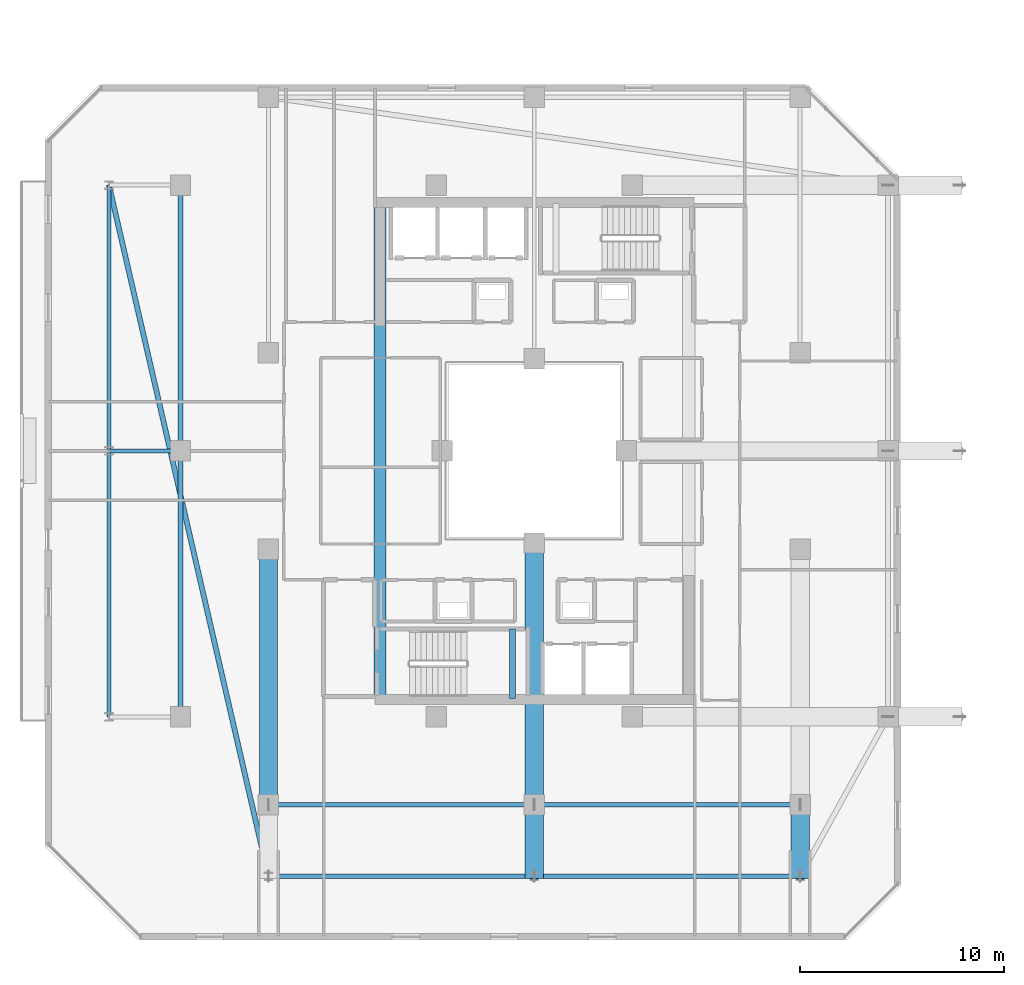
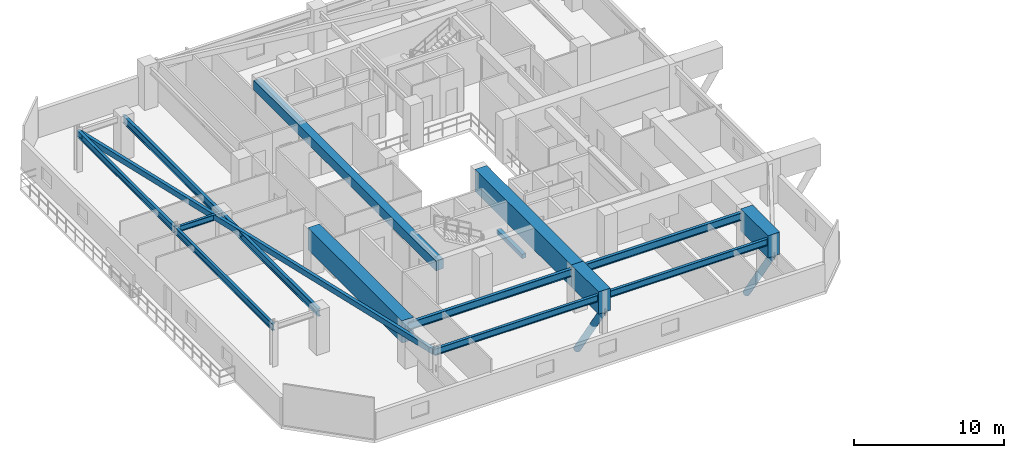
# One storey, part 4 of 34: 16 beams, 2 members.
"""IFC4 building model written with IfcOpenShell, lengths in metres."""

import ifcopenshell
import ifcopenshell.guid

model = None  # the IFC model being written
_history = None  # IfcOwnerHistory: only IFC2X3 demands one
_inside = {}  # id of a spatial element -> (the spatial element, [elements in it])
_under = {}  # id of a project, library or spatial element -> (it, [spatial elements below it])
_declared = {}  # id of a project -> (the project, [libraries it declares])
_typed = {}  # id of a type object -> (the type object, [elements of that type])
_made_of = {}  # id of a material, layer set ... -> (it, [elements and type objects made of it])


def new_model(schema):
    """Start an empty IFC model of exactly this schema.

    Asked for "IFC4X3", IfcOpenShell would pick the latest addendum, in which some entities
    have other attributes; the version numbers below select the first issue.
    IFC2X3 requires an IfcOwnerHistory on every rooted entity: one is made here for all.
    """
    global model, _history
    if schema == "IFC4X3":
        model = ifcopenshell.file(schema_version=(4, 3, 0, 0))
    else:
        model = ifcopenshell.file(schema=schema)
    _inside.clear()
    _under.clear()
    _declared.clear()
    _typed.clear()
    _made_of.clear()
    _history = None
    if model.schema == "IFC2X3":
        org = make("IfcOrganization", Name="unknown")
        user = make(
            "IfcPersonAndOrganization",
            ThePerson=make("IfcPerson", FamilyName="unknown"),
            TheOrganization=org,
        )
        app = make(
            "IfcApplication",
            ApplicationDeveloper=org,
            Version="unknown",
            ApplicationFullName="unknown",
            ApplicationIdentifier="unknown",
        )
        _history = make(
            "IfcOwnerHistory",
            OwningUser=user,
            OwningApplication=app,
            ChangeAction="ADDED",
            CreationDate=0,
        )
    return model


def make(cls, **values):
    """One entity of the class cls with the attributes given. An attribute that is None is left unset."""
    return model.create_entity(
        cls, **{name: value for name, value in values.items() if value is not None}
    )


def rooted(cls, **values):
    """An entity with a GlobalId (a new one), such as an element, a storey or a relation."""
    return make(cls, GlobalId=ifcopenshell.guid.new(), OwnerHistory=_history, **values)


def si_unit(unit_type, name, prefix=None):
    """IfcSIUnit, for example si_unit("LENGTHUNIT", "METRE", prefix="MILLI")."""
    return make("IfcSIUnit", UnitType=unit_type, Prefix=prefix, Name=name)


def assignment(units):
    """IfcUnitAssignment: the units of a project."""
    return None if units is None else make("IfcUnitAssignment", Units=units)


def point(xyz):
    """IfcCartesianPoint."""
    return None if xyz is None else make("IfcCartesianPoint", Coordinates=xyz)


def direction(xyz):
    """IfcDirection."""
    return None if xyz is None else make("IfcDirection", DirectionRatios=xyz)


def frame(location, z_axis=None, x_axis=None):
    """IfcAxis2Placement3D, a coordinate frame: its origin and axes. An axis left out is left unset."""
    return make(
        "IfcAxis2Placement3D",
        Location=point(location),
        Axis=direction(z_axis),
        RefDirection=direction(x_axis),
    )


def frame_2d(location, x_axis=None):
    """IfcAxis2Placement2D, a coordinate frame in the plane: its origin and x axis."""
    return make(
        "IfcAxis2Placement2D", Location=point(location), RefDirection=direction(x_axis)
    )


def origin():
    """The frame at (0, 0, 0) with its axes left unset."""
    return frame((0.0, 0.0, 0.0))


def origin_2d():
    """The frame at (0, 0) in the plane with its x axis left unset."""
    return frame_2d((0.0, 0.0))


def place(relative_to, where):
    """IfcLocalPlacement: puts the frame where relative to a parent placement (None: the world)."""
    return make(
        "IfcLocalPlacement", PlacementRelTo=relative_to, RelativePlacement=where
    )


def context(
    kind, dimensions, precision=None, world=None, true_north=None, identifier=None
):
    """IfcGeometricRepresentationContext, for example the 3D "Model" context."""
    return make(
        "IfcGeometricRepresentationContext",
        ContextIdentifier=identifier,
        ContextType=kind,
        CoordinateSpaceDimension=dimensions,
        Precision=precision,
        WorldCoordinateSystem=world,
        TrueNorth=true_north,
    )


def subcontext(parent, identifier, kind, view, scale=None):
    """IfcGeometricRepresentationSubContext, for example "Body" below "Model"."""
    return make(
        "IfcGeometricRepresentationSubContext",
        ContextIdentifier=identifier,
        ContextType=kind,
        ParentContext=parent,
        TargetScale=scale,
        TargetView=view,
    )


def project(units=None, contexts=None):
    """IfcProject with its units and contexts."""
    return rooted(
        "IfcProject",
        Name="project",
        RepresentationContexts=contexts,
        UnitsInContext=assignment(units),
    )


def spatial(cls, under=None, at=None, **own):
    """A site, building, storey or space (cls), placed at a placement, below another one or the project."""
    s = rooted(cls, ObjectPlacement=at, **own)
    if under is not None:
        _under.setdefault(under.id(), (under, []))[1].append(s)
    return s


def profile(cls, at=None, kind="AREA", **sizes):
    """A parametric profile (cls). Its sizes go by their IFC names, for example OverallWidth=200.0."""
    return make(cls, ProfileType=kind, Position=at, **sizes)


def rectangle(**sizes):
    """IfcRectangleProfileDef."""
    return profile("IfcRectangleProfileDef", **sizes)


def hollow_rectangle(**sizes):
    """IfcRectangleHollowProfileDef."""
    return profile("IfcRectangleHollowProfileDef", **sizes)


def hollow_circle(**sizes):
    """IfcCircleHollowProfileDef."""
    return profile("IfcCircleHollowProfileDef", **sizes)


def i_section(**sizes):
    """IfcIShapeProfileDef."""
    return profile("IfcIShapeProfileDef", **sizes)


def extrude(swept, where, along, depth):
    """IfcExtrudedAreaSolid: the profile swept, set in the frame where, extruded along a direction by depth."""
    return make(
        "IfcExtrudedAreaSolid",
        SweptArea=swept,
        Position=where,
        ExtrudedDirection=direction(along),
        Depth=depth,
    )


def shape(context_of_items, identifier, shape_type, items):
    """IfcShapeRepresentation: the items that make up one representation, for example the "Body"."""
    return make(
        "IfcShapeRepresentation",
        ContextOfItems=context_of_items,
        RepresentationIdentifier=identifier,
        RepresentationType=shape_type,
        Items=items,
    )


def material(Name=None, Category=None):
    """IfcMaterial."""
    return make("IfcMaterial", Name=Name, Category=Category)


def material_profile(
    of_material, cross_section, Name=None, Category=None, Priority=None
):
    """IfcMaterialProfile: a cross section and its material."""
    return make(
        "IfcMaterialProfile",
        Name=Name,
        Material=of_material,
        Profile=cross_section,
        Priority=Priority,
        Category=Category,
    )


def profile_set(profiles, Name=None, composite=None):
    """IfcMaterialProfileSet."""
    return make(
        "IfcMaterialProfileSet",
        Name=Name,
        MaterialProfiles=profiles,
        CompositeProfile=composite,
    )


def made_of(thing, what):
    """Note that an element or type object is made of a material, layer set ...; save() writes the relation."""
    if what is not None:
        _made_of.setdefault(what.id(), (what, []))[1].append(thing)
    return thing


def type_object(cls, material=None, **own):
    """A type object (cls), such as IfcWallType, which elements share."""
    return made_of(rooted(cls, **own), material)


def element(
    cls,
    number,
    at=None,
    inside=None,
    cuts=None,
    type_object=None,
    material=None,
    context=None,
    identifier="Body",
    shape_type=None,
    held_by="IfcProductDefinitionShape",
    body=None,
    shapes=None,
    **own,
):
    """One element of the class cls, such as IfcWall. Its Tag is "e" and its number.

    at: its placement. inside: the storey or other place that contains it. cuts: it is an
    opening in that element (IfcRelVoidsElement). A single representation is given by context,
    identifier, shape_type and body (its items); several are given by shapes. held_by: the class
    of the entity that holds the representations. save() writes the other relations.
    """
    e = rooted(cls, Tag="e%d" % number, ObjectPlacement=at, **own)
    if body is not None:
        shapes = [shape(context, identifier, shape_type, body)]
    if shapes is not None:
        e.Representation = make(held_by, Representations=shapes)
    if inside is not None:
        _inside.setdefault(inside.id(), (inside, []))[1].append(e)
    if cuts is not None:
        rooted(
            "IfcRelVoidsElement", RelatingBuildingElement=cuts, RelatedOpeningElement=e
        )
    if type_object is not None:
        _typed.setdefault(type_object.id(), (type_object, []))[1].append(e)
    return made_of(e, material)


def aggregate(whole, parts):
    """IfcRelAggregates: a whole, such as a stair, and the parts it consists of."""
    return rooted("IfcRelAggregates", RelatingObject=whole, RelatedObjects=parts)


def save(model, path):
    """Write the relations noted so far, then the file.

    IfcRelAggregates (storeys below a building ...), IfcRelContainedInSpatialStructure (elements
    in a storey), IfcRelDefinesByType, IfcRelAssociatesMaterial and IfcRelDeclares: one each for
    every whole, place, type object, material and project.
    """
    for whole, parts in _under.values():
        aggregate(whole, parts)
    for where, things in _inside.values():
        rooted(
            "IfcRelContainedInSpatialStructure",
            RelatedElements=things,
            RelatingStructure=where,
        )
    for kind, things in _typed.values():
        rooted("IfcRelDefinesByType", RelatedObjects=things, RelatingType=kind)
    for what, things in _made_of.values():
        rooted("IfcRelAssociatesMaterial", RelatedObjects=things, RelatingMaterial=what)
    for by, libraries in _declared.values():
        rooted("IfcRelDeclares", RelatingContext=by, RelatedDefinitions=libraries)
    model.write(path)


model = new_model("IFC4")

# Units and contexts
model_context = context("Model", 3, precision=1e-05, world=origin(), true_north=direction((0.0, 1.0)))
body_context = subcontext(model_context, "Body", "Model", "MODEL_VIEW")
ifc_project = project(units=[si_unit("LENGTHUNIT", "METRE"), si_unit("AREAUNIT", "SQUARE_METRE"), si_unit("VOLUMEUNIT", "CUBIC_METRE"), si_unit("PLANEANGLEUNIT", "RADIAN"), si_unit("MASSUNIT", "GRAM", prefix="KILO")], contexts=[model_context])

# Site, building, storey
site_placement = place(None, origin())
site = spatial("IfcSite", under=ifc_project, at=site_placement, CompositionType="ELEMENT")
building_placement = place(site_placement, origin())
building = spatial("IfcBuilding", under=site, at=building_placement, Name="Thornwick Lancets Civic Towers", CompositionType="ELEMENT")
storey_placement = place(building_placement, frame((0.0, 0.0, 251.10009765625)))
storey = spatial("IfcBuildingStorey", under=building, at=storey_placement, Name="L67", CompositionType="ELEMENT", Elevation=251.10009765625)

# Beams
ifc_material_1 = material(Name="Concrete C60/75", Category="concrete")
ifc_material_profile_1 = material_profile(ifc_material_1, rectangle(XDim=0.60009765625, YDim=0.800048828125, at=origin_2d()), Name="RC 600x800")
ifc_profile_set_1 = profile_set([ifc_material_profile_1], Name="Concrete C60/75")
beam_type_1 = type_object("IfcBeamType", Name="BM_COUP_RC800", PredefinedType="BEAM", material=ifc_profile_set_1)
beam_1_placement = place(storey_placement, frame((17.949951171875, 14.89990234375, 2.93994140625), z_axis=(0.0, 1.0, 0.0), x_axis=(-1.0, 0.0, 0.0)))
element("IfcBeam", 1, at=beam_1_placement, inside=storey, type_object=beam_type_1, Name="CB-L67-A2", PredefinedType="BEAM", context=body_context, shape_type="SweptSolid", body=[
    extrude(rectangle(XDim=0.60009765625, YDim=0.800048828125, at=origin_2d()), origin(), (0.0, 0.0, 1.0), 24.2001953125),
])
ifc_material_2 = material(Name="Steel S355JR", Category="steel")
ifc_material_profile_2 = material_profile(ifc_material_2, i_section(OverallWidth=0.210693359375, OverallDepth=0.53955078125, WebThickness=0.01171875, FlangeThickness=0.018798828125, FilletRadius=0.0126953125, at=origin_2d()), Name="UKB 533x210x109")
ifc_profile_set_2 = profile_set([ifc_material_profile_2], Name="Steel S355JR")
beam_type_2 = type_object("IfcBeamType", Name="BM_EDGE_533_109", PredefinedType="SPANDREL", material=ifc_profile_set_2)
beam_2_placement = place(storey_placement, frame((12.5, 6.199951171875, 3.0703125), z_axis=(1.0, 0.0, 0.0), x_axis=(0.0, 1.0, 0.0)))
element("IfcBeam", 2, at=beam_2_placement, inside=storey, type_object=beam_type_2, Name="BM-EDGE-L67-A-S0-1", PredefinedType="SPANDREL", context=body_context, shape_type="SweptSolid", body=[
    extrude(i_section(OverallWidth=0.210693359375, OverallDepth=0.53955078125, WebThickness=0.01171875, FlangeThickness=0.018798828125, FilletRadius=0.0126953125, at=origin_2d()), origin(), (0.0, 0.0, 1.0), 13.0),
])
beam_3_placement = place(storey_placement, frame((25.580078125, 6.199951171875, 3.0703125), z_axis=(1.0, 0.0, 0.0), x_axis=(0.0, 1.0, 0.0)))
element("IfcBeam", 3, at=beam_3_placement, inside=storey, type_object=beam_type_2, Name="BM-EDGE-L67-A-S0-2", PredefinedType="SPANDREL", context=body_context, shape_type="SweptSolid", body=[
    extrude(i_section(OverallWidth=0.210693359375, OverallDepth=0.53955078125, WebThickness=0.01171875, FlangeThickness=0.018798828125, FilletRadius=0.0126953125, at=origin_2d()), origin(), (0.0, 0.0, 1.0), 12.919921875),
])
beam_4_placement = place(storey_placement, frame((4.699951171875, 14.0, 3.0703125), z_axis=(0.0, 1.0, 0.0), x_axis=(-1.0, 0.0, 0.0)))
element("IfcBeam", 4, at=beam_4_placement, inside=storey, type_object=beam_type_2, Name="BM-EDGE-L67-A-S3-1", PredefinedType="SPANDREL", context=body_context, shape_type="SweptSolid", body=[
    extrude(i_section(OverallWidth=0.210693359375, OverallDepth=0.53955078125, WebThickness=0.01171875, FlangeThickness=0.018798828125, FilletRadius=0.0126953125, at=origin_2d()), origin(), (0.0, 0.0, 1.0), 13.0),
])
beam_5_placement = place(storey_placement, frame((4.699951171875, 27.080078125, 3.0703125), z_axis=(0.0, 1.0, 0.0), x_axis=(-1.0, 0.0, 0.0)))
element("IfcBeam", 5, at=beam_5_placement, inside=storey, type_object=beam_type_2, Name="BM-EDGE-L67-A-S3-2", PredefinedType="SPANDREL", context=body_context, shape_type="SweptSolid", body=[
    extrude(i_section(OverallWidth=0.210693359375, OverallDepth=0.53955078125, WebThickness=0.01171875, FlangeThickness=0.018798828125, FilletRadius=0.0126953125, at=origin_2d()), origin(), (0.0, 0.0, 1.0), 12.919921875),
])
ifc_material_profile_3 = material_profile(ifc_material_2, i_section(OverallWidth=0.230224609375, OverallDepth=0.6171875, WebThickness=0.01318359375, FlangeThickness=0.022216796875, FilletRadius=0.0126953125, at=origin_2d()), Name="UKB 610x229x140")
ifc_profile_set_3 = profile_set([ifc_material_profile_3], Name="Steel S355JR")
beam_type_3 = type_object("IfcBeamType", Name="BM_GIRD_610_140", PredefinedType="BEAM", material=ifc_profile_set_3)
beam_6_placement = place(storey_placement, frame((12.5, 9.699951171875, 3.03125), z_axis=(1.0, 0.0, 0.0), x_axis=(0.0, 1.0, 0.0)))
element("IfcBeam", 6, at=beam_6_placement, inside=storey, type_object=beam_type_3, Name="BM-SPINE-L67-A-0-1", PredefinedType="BEAM", context=body_context, shape_type="SweptSolid", body=[
    extrude(i_section(OverallWidth=0.230224609375, OverallDepth=0.6171875, WebThickness=0.01318359375, FlangeThickness=0.022216796875, FilletRadius=0.0126953125, at=origin_2d()), origin(), (0.0, 0.0, 1.0), 13.0),
])
beam_7_placement = place(storey_placement, frame((25.580078125, 9.699951171875, 3.03125), z_axis=(1.0, 0.0, 0.0), x_axis=(0.0, 1.0, 0.0)))
element("IfcBeam", 7, at=beam_7_placement, inside=storey, type_object=beam_type_3, Name="BM-SPINE-L67-A-1-2", PredefinedType="BEAM", context=body_context, shape_type="SweptSolid", body=[
    extrude(i_section(OverallWidth=0.230224609375, OverallDepth=0.6171875, WebThickness=0.01318359375, FlangeThickness=0.022216796875, FilletRadius=0.0126953125, at=origin_2d()), origin(), (0.0, 0.0, 1.0), 12.919921875),
])
beam_8_placement = place(storey_placement, frame((8.199951171875, 14.0, 3.03125), z_axis=(0.0, 1.0, 0.0), x_axis=(-1.0, 0.0, 0.0)))
element("IfcBeam", 8, at=beam_8_placement, inside=storey, type_object=beam_type_3, Name="BM-SPINE-L67-A-9-10", PredefinedType="BEAM", context=body_context, shape_type="SweptSolid", body=[
    extrude(i_section(OverallWidth=0.230224609375, OverallDepth=0.6171875, WebThickness=0.01318359375, FlangeThickness=0.022216796875, FilletRadius=0.0126953125, at=origin_2d()), origin(), (0.0, 0.0, 1.0), 13.0),
])
beam_9_placement = place(storey_placement, frame((8.199951171875, 27.080078125, 3.03125), z_axis=(0.0, 1.0, 0.0), x_axis=(-1.0, 0.0, 0.0)))
element("IfcBeam", 9, at=beam_9_placement, inside=storey, type_object=beam_type_3, Name="BM-SPINE-L67-A-10-11", PredefinedType="BEAM", context=body_context, shape_type="SweptSolid", body=[
    extrude(i_section(OverallWidth=0.230224609375, OverallDepth=0.6171875, WebThickness=0.01318359375, FlangeThickness=0.022216796875, FilletRadius=0.0126953125, at=origin_2d()), origin(), (0.0, 0.0, 1.0), 12.919921875),
])
ifc_material_profile_4 = material_profile(ifc_material_2, i_section(OverallWidth=0.19189453125, OverallDepth=0.46337890625, WebThickness=0.010498046875, FlangeThickness=0.017578125, FilletRadius=0.01025390625, at=origin_2d()), Name="UKB 457x191x89")
ifc_profile_set_4 = profile_set([ifc_material_profile_4], Name="Steel S355JR")
beam_type_4 = type_object("IfcBeamType", Name="BM_JOIST_457_89", PredefinedType="JOIST", material=ifc_profile_set_4)
beam_10_placement = place(storey_placement, frame((8.199951171875, 27.0, 3.108154296875), z_axis=(-1.0, 0.0, 0.0), x_axis=(0.0, -1.0, 0.0)))
element("IfcBeam", 10, at=beam_10_placement, inside=storey, type_object=beam_type_4, Name="BM-RAD-L67-A11", PredefinedType="JOIST", context=body_context, shape_type="SweptSolid", body=[
    extrude(i_section(OverallWidth=0.19189453125, OverallDepth=0.46337890625, WebThickness=0.010498046875, FlangeThickness=0.017578125, FilletRadius=0.01025390625, at=origin_2d()), origin(), (0.0, 0.0, 1.0), 3.5),
])
ifc_material_profile_5 = material_profile(ifc_material_2, hollow_rectangle(XDim=0.25, YDim=0.449951171875, WallThickness=0.01611328125, at=origin_2d()), Name="RHS 450x250x16")
ifc_profile_set_5 = profile_set([ifc_material_profile_5], Name="Steel S355JR")
beam_type_5 = type_object("IfcBeamType", Name="BM_RING_RHS450", PredefinedType="BEAM", material=ifc_profile_set_5)
beam_11_placement = place(storey_placement, frame((4.699951171875, 40.0, 3.114990234375), z_axis=(0.224860534737, -0.974390958454, 0.0), x_axis=(0.974390958454, 0.224860534737, 0.0)))
element("IfcBeam", 11, at=beam_11_placement, inside=storey, type_object=beam_type_5, Name="BM-CHAMF-L67-A-C3", PredefinedType="BEAM", context=body_context, shape_type="SweptSolid", body=[
    extrude(hollow_rectangle(XDim=0.25, YDim=0.449951171875, WallThickness=0.01611328125, at=origin_2d()), origin(), (0.0, 0.0, 1.0), 34.6884765625),
])
ifc_material_3 = material(Name="Concrete C40/50", Category="concrete")
ifc_material_profile_6 = material_profile(ifc_material_3, rectangle(XDim=0.300048828125, YDim=0.35009765625, at=origin_2d()), Name="RC 300x350")
ifc_profile_set_6 = profile_set([ifc_material_profile_6], Name="Concrete C40/50")
beam_type_6 = type_object("IfcBeamType", Name="BM_STAIR_LDG", PredefinedType="BEAM", material=ifc_profile_set_6)
beam_12_placement = place(storey_placement, frame((24.43505859375, 14.89990234375, 1.3779296875), z_axis=(0.0, 1.0, 0.0), x_axis=(-1.0, 0.0, 0.0)))
element("IfcBeam", 12, at=beam_12_placement, inside=storey, type_object=beam_type_6, Name="L67 ST-A1 Landing Support Beam 1", PredefinedType="BEAM", context=body_context, shape_type="SweptSolid", body=[
    extrude(rectangle(XDim=0.300048828125, YDim=0.35009765625, at=origin_2d()), origin(), (0.0, 0.0, 1.0), 3.400146484375),
])
ifc_material_profile_7 = material_profile(ifc_material_1, rectangle(XDim=0.89990234375, YDim=1.800048828125, at=origin_2d()), Name="RC 900x1800")
ifc_profile_set_7 = profile_set([ifc_material_profile_7], Name="Concrete C60/75")
beam_type_7 = type_object("IfcBeamType", Name="BM_TR_RC1800", PredefinedType="BEAM", material=ifc_profile_set_7)
beam_13_placement = place(storey_placement, frame((12.5, 22.199951171875, 2.699951171875), z_axis=(0.0, -1.0, 0.0), x_axis=(1.0, 0.0, 0.0)))
element("IfcBeam", 13, at=beam_13_placement, inside=storey, type_object=beam_type_7, Name="TG-BACK-L68-A01", PredefinedType="BEAM", context=body_context, shape_type="SweptSolid", body=[
    extrude(rectangle(XDim=0.89990234375, YDim=1.800048828125, at=origin_2d()), origin(), (0.0, 0.0, 1.0), 12.5),
])
beam_14_placement = place(storey_placement, frame((25.5, 22.5, 2.699951171875), z_axis=(0.0, -1.0, 0.0), x_axis=(1.0, 0.0, 0.0)))
element("IfcBeam", 14, at=beam_14_placement, inside=storey, type_object=beam_type_7, Name="TG-BACK-L68-A02", PredefinedType="BEAM", context=body_context, shape_type="SweptSolid", body=[
    extrude(rectangle(XDim=0.89990234375, YDim=1.800048828125, at=origin_2d()), origin(), (0.0, 0.0, 1.0), 12.800048828125),
])
for number, where, z_axis, x_axis, name in (
    (15, (25.5, 9.699951171875, 2.699951171875), (0.0, -1.0, 0.0), (1.0, 0.0, 0.0), "TG-CANT-L68-A02"),
    (16, (38.5, 9.699951171875, 2.699951171875), (0.0, -1.0, 0.0), (1.0, 0.0, 0.0), "TG-CANT-L68-A03"),
):
    element("IfcBeam", number, at=place(storey_placement, frame(where, z_axis=z_axis, x_axis=x_axis)), inside=storey, type_object=beam_type_7, Name=name, PredefinedType="BEAM", context=body_context, shape_type="SweptSolid", body=[
        extrude(rectangle(XDim=0.89990234375, YDim=1.800048828125, at=origin_2d()), origin(), (0.0, 0.0, 1.0), 3.619873046875),
    ])

# Members
ifc_material_4 = material(Name="Steel S460M", Category="steel")
ifc_material_profile_8 = material_profile(ifc_material_4, hollow_circle(Radius=0.25390625, WallThickness=0.02490234375, at=origin_2d()), Name="CHS 508x25")
ifc_profile_set_8 = profile_set([ifc_material_profile_8], Name="Steel S460M")
member_type = type_object("IfcMemberType", Name="MEM_STRUT_CHS508", PredefinedType="STRUT", material=ifc_profile_set_8)
for number, where, z_axis, x_axis, name in (
    (17, (25.5, 9.699951171875, -3.35009765625), (0.0, -0.556167580628, 0.831070166868), (1.0, 0.0, 0.0), "L68 Jenga Transfer Raking Strut A02"),
    (18, (38.5, 9.699951171875, -3.35009765625), (0.0, -0.556167580628, 0.831070166868), (1.0, 0.0, 0.0), "L68 Jenga Transfer Raking Strut A03"),
):
    element("IfcMember", number, at=place(storey_placement, frame(where, z_axis=z_axis, x_axis=x_axis)), inside=storey, type_object=member_type, Name=name, PredefinedType="STRUT", context=body_context, shape_type="SweptSolid", body=[
        extrude(hollow_circle(Radius=0.25390625, WallThickness=0.02490234375, at=origin_2d()), origin(), (0.0, 0.0, 1.0), 6.29296875),
    ])

save(model, "model.ifc")
